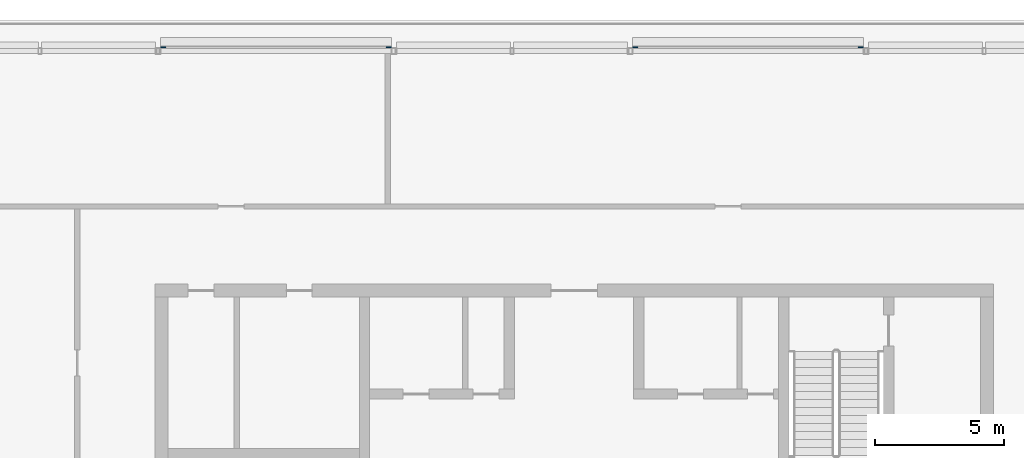
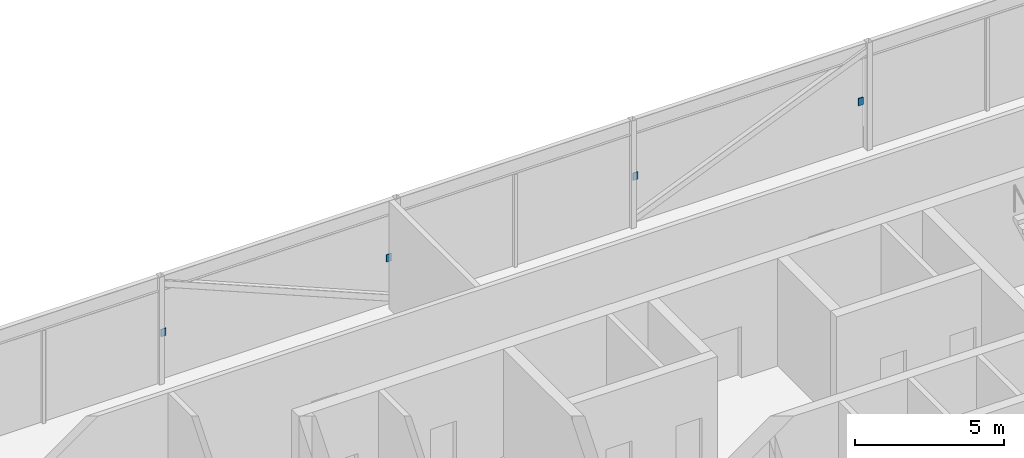
# One storey, part 23 of 29: 4 discrete accessories.
"""IFC4 building model written with IfcOpenShell, lengths in metres."""

from ifc_helpers import new_model, si_unit, direction, frame, origin, origin_2d, place, context, subcontext, project, spatial, rectangle, extrude, material, type_object, element, save


model = new_model("IFC4")

# Units and contexts
model_context = context("Model", 3, precision=1e-05, world=origin(), true_north=direction((0.0, 1.0)))
body_context = subcontext(model_context, "Body", "Model", "MODEL_VIEW")
ifc_project = project(units=[si_unit("LENGTHUNIT", "METRE"), si_unit("AREAUNIT", "SQUARE_METRE"), si_unit("VOLUMEUNIT", "CUBIC_METRE"), si_unit("PLANEANGLEUNIT", "RADIAN"), si_unit("MASSUNIT", "GRAM", prefix="KILO")], contexts=[model_context])

# Site, building, storey
site_placement = place(None, origin())
site = spatial("IfcSite", under=ifc_project, at=site_placement, CompositionType="ELEMENT")
building_placement = place(site_placement, origin())
building = spatial("IfcBuilding", under=site, at=building_placement, Name="Madar Terraces", CompositionType="ELEMENT")
storey_placement = place(building_placement, frame((0.0, 0.0, 296.300048828125)))
storey = spatial("IfcBuildingStorey", under=building, at=storey_placement, Name="L77", CompositionType="ELEMENT", Elevation=296.300048828125)

# Discrete accessories
ifc_material = material(Name="Steel, galvanised", Category="steel")
discrete_accessory_type = type_object("IfcDiscreteAccessoryType", Name="Louvre bank bracket", PredefinedType="BRACKET", material=ifc_material)
for number, where, z_axis, x_axis, name in (
    (1, (42.2783203125, 46.94189453125, 1.7490234375), (0.0, 0.0, 1.0), (-1.0, 0.0, 0.0), "Louvre bank bracket"),
    (2, (33.5615234375, 46.94189453125, 1.7490234375), (0.0, 0.0, 1.0), (-1.0, 0.0, 0.0), "Louvre bank bracket"),
    (3, (24.038330078125, 46.94189453125, 1.7490234375), (0.0, 0.0, 1.0), (-1.0, 0.0, 0.0), "Louvre bank bracket"),
    (4, (15.321533203125, 46.94189453125, 1.7490234375), (0.0, 0.0, 1.0), (-1.0, 0.0, 0.0), "Louvre bank bracket"),
):
    element("IfcDiscreteAccessory", number, at=place(storey_placement, frame(where, z_axis=z_axis, x_axis=x_axis)), inside=storey, type_object=discrete_accessory_type, Name=name, PredefinedType="BRACKET", context=body_context, shape_type="SweptSolid", body=[
        extrude(rectangle(XDim=0.199951171875, YDim=0.030029296875, at=origin_2d()), origin(), (0.0, 0.0, 1.0), 0.300048828125),
    ])

save(model, "model.ifc")
